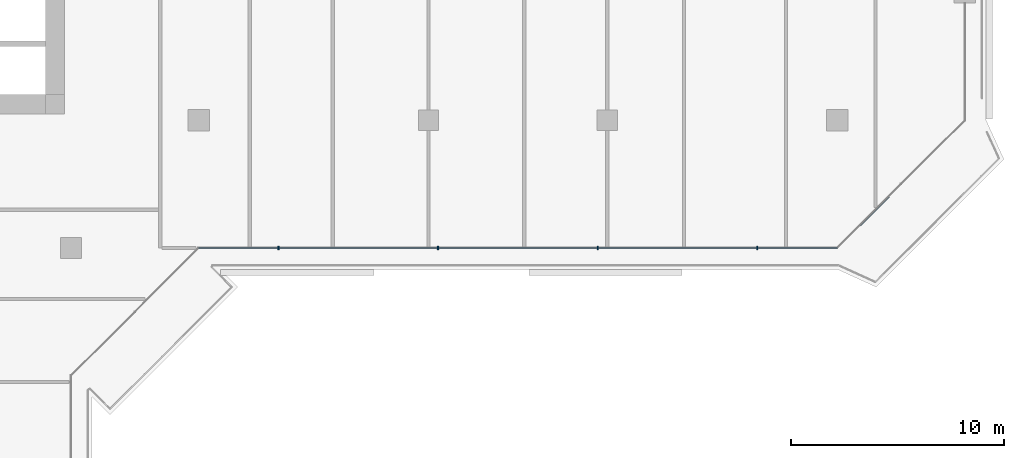
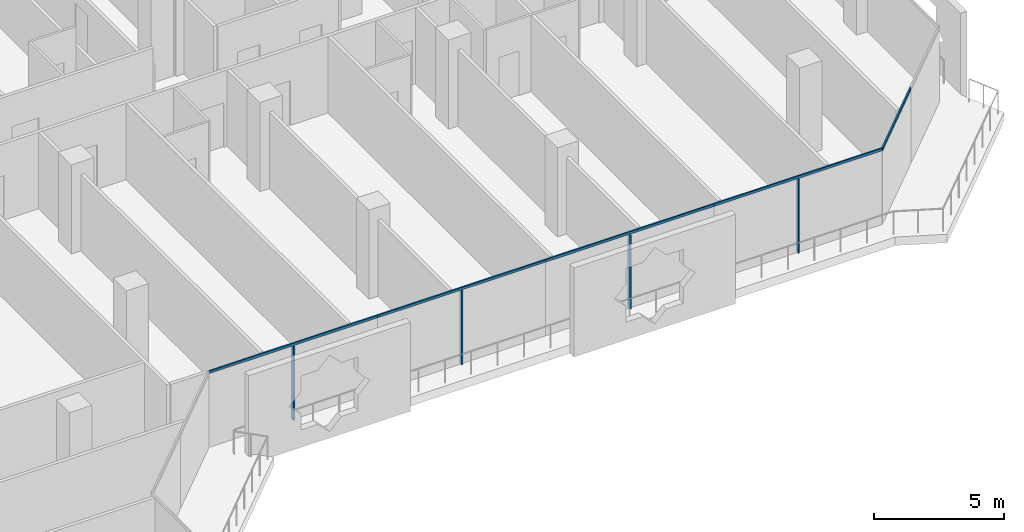
# One storey, part 4 of 22: 9 members, 2 elements without a shape of their own.
"""IFC4 building model written with IfcOpenShell, lengths in metres."""

from ifc_helpers import new_model, si_unit, direction, frame, origin, origin_2d, place, context, subcontext, project, spatial, rectangle, extrude, material, layer, layer_set, material_profile, profile_set, type_object, element, aggregate, save


model = new_model("IFC4")

# Units and contexts
model_context = context("Model", 3, precision=1e-05, world=origin(), true_north=direction((0.0, 1.0)))
body_context = subcontext(model_context, "Body", "Model", "MODEL_VIEW")
ifc_project = project(units=[si_unit("LENGTHUNIT", "METRE"), si_unit("AREAUNIT", "SQUARE_METRE"), si_unit("VOLUMEUNIT", "CUBIC_METRE"), si_unit("PLANEANGLEUNIT", "RADIAN"), si_unit("MASSUNIT", "GRAM", prefix="KILO")], contexts=[model_context])

# Site, building, storey
site_placement = place(None, origin())
site = spatial("IfcSite", under=ifc_project, at=site_placement, CompositionType="ELEMENT")
building_placement = place(site_placement, origin())
building = spatial("IfcBuilding", under=site, at=building_placement, Name="Kawkab Arch Medical Tower", CompositionType="ELEMENT")
storey_placement = place(building_placement, frame((0.0, 0.0, 171.0)))
storey = spatial("IfcBuildingStorey", under=building, at=storey_placement, Name="L39", CompositionType="ELEMENT", Elevation=171.0)

# Curtain wall, members
ifc_material_1 = material(Name="Bronze anodised aluminium curtain wall frame", Category="aluminium")
ifc_layer_1 = layer(ifc_material_1, 0.159912109375)
ifc_layer_set_1 = layer_set([ifc_layer_1], Name="Bronze anodised aluminium curtain wall frame")
curtain_wall_type_1 = type_object("IfcCurtainWallType", Name="CW1 ward curtain wall", PredefinedType="NOTDEFINED", material=ifc_layer_set_1)
placement = place(storey_placement, origin())
curtain_wall_1 = element("IfcCurtainWall", 1, at=placement, inside=storey, type_object=curtain_wall_type_1, Name="CW1 Ward curtain wall R07", PredefinedType="NOTDEFINED")
ifc_material_2 = material(Name="Bronze anodised aluminium curtain wall frame", Category="aluminium")
ifc_material_profile_1 = material_profile(ifc_material_2, rectangle(XDim=0.179931640625, YDim=0.06005859375, at=origin_2d()), Name="AL 60x180")
ifc_profile_set_1 = profile_set([ifc_material_profile_1], Name="Bronze anodised aluminium curtain wall frame")
member_type_1 = type_object("IfcMemberType", Name="CW1 mullion 60 x 180", PredefinedType="MULLION", material=ifc_profile_set_1)
member_1_placement = place(storey_placement, frame((34.949951171875, -31.199951171875, 0.0), z_axis=(0.0, 0.0, 1.0), x_axis=(0.0, 1.0, 0.0)))
member_1 = element("IfcMember", 2, at=member_1_placement, type_object=member_type_1, Name="CW1 mullion 1.1", PredefinedType="MULLION", context=body_context, shape_type="SweptSolid", body=[
    extrude(rectangle(XDim=0.179931640625, YDim=0.06005859375, at=origin_2d()), origin(), (0.0, 0.0, 1.0), 3.47998046875),
])
member_2_placement = place(storey_placement, frame((42.449951171875, -31.199951171875, 0.0), z_axis=(0.0, 0.0, 1.0), x_axis=(0.0, 1.0, 0.0)))
member_2 = element("IfcMember", 3, at=member_2_placement, type_object=member_type_1, Name="CW1 mullion 2.1", PredefinedType="MULLION", context=body_context, shape_type="SweptSolid", body=[
    extrude(rectangle(XDim=0.179931640625, YDim=0.06005859375, at=origin_2d()), origin(), (0.0, 0.0, 1.0), 3.47998046875),
])
member_3_placement = place(storey_placement, frame((49.949951171875, -31.199951171875, 0.0), z_axis=(0.0, 0.0, 1.0), x_axis=(0.0, 1.0, 0.0)))
member_3 = element("IfcMember", 4, at=member_3_placement, type_object=member_type_1, Name="CW1 mullion 3.1", PredefinedType="MULLION", context=body_context, shape_type="SweptSolid", body=[
    extrude(rectangle(XDim=0.179931640625, YDim=0.06005859375, at=origin_2d()), origin(), (0.0, 0.0, 1.0), 3.47998046875),
])
member_4_placement = place(storey_placement, frame((57.449951171875, -31.199951171875, 0.0), z_axis=(0.0, 0.0, 1.0), x_axis=(0.0, 1.0, 0.0)))
member_4 = element("IfcMember", 5, at=member_4_placement, type_object=member_type_1, Name="CW1 mullion 4.1", PredefinedType="MULLION", context=body_context, shape_type="SweptSolid", body=[
    extrude(rectangle(XDim=0.179931640625, YDim=0.06005859375, at=origin_2d()), origin(), (0.0, 0.0, 1.0), 3.47998046875),
])
ifc_material_3 = material(Name="Bronze anodised aluminium curtain wall frame", Category="aluminium")
ifc_material_profile_2 = material_profile(ifc_material_3, rectangle(XDim=0.06005859375, YDim=0.1201171875, at=origin_2d()), Name="AL 60x120")
ifc_profile_set_2 = profile_set([ifc_material_profile_2], Name="Bronze anodised aluminium curtain wall frame")
member_type_2 = type_object("IfcMemberType", Name="CW1 transom 120 x 60", PredefinedType="USERDEFINED", material=ifc_profile_set_2)
member_5_placement = place(storey_placement, frame((31.199951171875, -31.199951171875, 3.5400390625), z_axis=(1.0, 0.0, 0.0), x_axis=(0.0, 1.0, 0.0)))
member_5 = element("IfcMember", 6, at=member_5_placement, type_object=member_type_2, Name="CW1 transom 1", ObjectType="TRANSOM", PredefinedType="USERDEFINED", context=body_context, shape_type="SweptSolid", body=[
    extrude(rectangle(XDim=0.06005859375, YDim=0.1201171875, at=origin_2d()), origin(), (0.0, 0.0, 1.0), 7.5),
])
member_6_placement = place(storey_placement, frame((38.699951171875, -31.199951171875, 3.5400390625), z_axis=(1.0, 0.0, 0.0), x_axis=(0.0, 1.0, 0.0)))
member_6 = element("IfcMember", 7, at=member_6_placement, type_object=member_type_2, Name="CW1 transom 2", ObjectType="TRANSOM", PredefinedType="USERDEFINED", context=body_context, shape_type="SweptSolid", body=[
    extrude(rectangle(XDim=0.06005859375, YDim=0.1201171875, at=origin_2d()), origin(), (0.0, 0.0, 1.0), 7.5),
])
member_7_placement = place(storey_placement, frame((46.199951171875, -31.199951171875, 3.5400390625), z_axis=(1.0, 0.0, 0.0), x_axis=(0.0, 1.0, 0.0)))
member_7 = element("IfcMember", 8, at=member_7_placement, type_object=member_type_2, Name="CW1 transom 3", ObjectType="TRANSOM", PredefinedType="USERDEFINED", context=body_context, shape_type="SweptSolid", body=[
    extrude(rectangle(XDim=0.06005859375, YDim=0.1201171875, at=origin_2d()), origin(), (0.0, 0.0, 1.0), 7.5),
])
member_8_placement = place(storey_placement, frame((53.699951171875, -31.199951171875, 3.5400390625), z_axis=(1.0, 0.0, 0.0), x_axis=(0.0, 1.0, 0.0)))
member_8 = element("IfcMember", 9, at=member_8_placement, type_object=member_type_2, Name="CW1 transom 4", ObjectType="TRANSOM", PredefinedType="USERDEFINED", context=body_context, shape_type="SweptSolid", body=[
    extrude(rectangle(XDim=0.06005859375, YDim=0.1201171875, at=origin_2d()), origin(), (0.0, 0.0, 1.0), 7.5),
])
aggregate(curtain_wall_1, [member_5, member_1, member_6, member_2, member_7, member_3, member_8, member_4])

# Curtain wall, member
ifc_material_4 = material(Name="Bronze anodised aluminium curtain wall frame", Category="aluminium")
ifc_layer_2 = layer(ifc_material_4, 0.159912109375)
ifc_layer_set_2 = layer_set([ifc_layer_2], Name="Bronze anodised aluminium curtain wall frame")
curtain_wall_type_2 = type_object("IfcCurtainWallType", Name="CW2 chamfer curtain wall", PredefinedType="NOTDEFINED", material=ifc_layer_set_2)
curtain_wall_2 = element("IfcCurtainWall", 10, at=placement, inside=storey, type_object=curtain_wall_type_2, Name="CW2 Chamfer curtain wall R08", PredefinedType="NOTDEFINED")
ifc_material_5 = material(Name="Bronze anodised aluminium curtain wall frame", Category="aluminium")
ifc_material_profile_3 = material_profile(ifc_material_5, rectangle(XDim=0.06005859375, YDim=0.139892578125, at=origin_2d()), Name="AL 60x140")
ifc_profile_set_3 = profile_set([ifc_material_profile_3], Name="Bronze anodised aluminium curtain wall frame")
member_type_3 = type_object("IfcMemberType", Name="CW2 transom 140 x 60", PredefinedType="USERDEFINED", material=ifc_profile_set_3)
member_9_placement = place(storey_placement, frame((61.199951171875, -31.199951171875, 3.530029296875), z_axis=(0.707106781187, 0.707106781187, 0.0), x_axis=(-0.707106781187, 0.707106781187, 0.0)))
member_9 = element("IfcMember", 11, at=member_9_placement, type_object=member_type_3, Name="CW2 transom 1", ObjectType="TRANSOM", PredefinedType="USERDEFINED", context=body_context, shape_type="SweptSolid", body=[
    extrude(rectangle(XDim=0.06005859375, YDim=0.139892578125, at=origin_2d()), origin(), (0.0, 0.0, 1.0), 4.24267578125),
])
aggregate(curtain_wall_2, [member_9])

save(model, "model.ifc")
